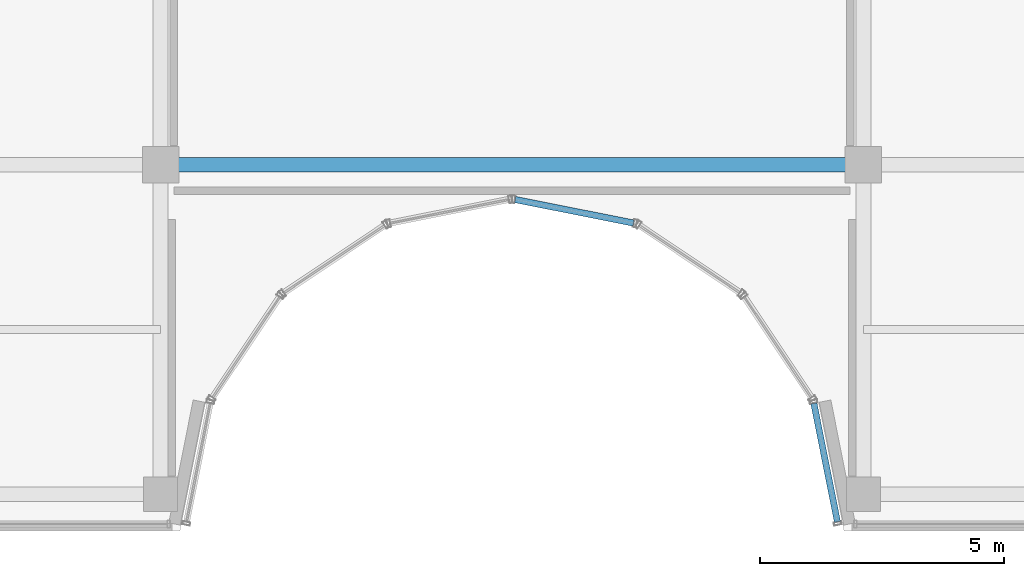
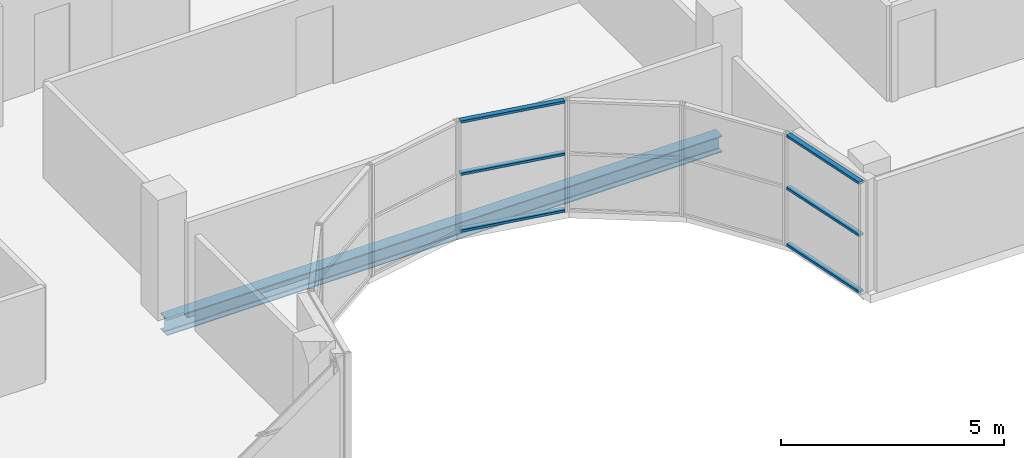
# One storey, part 6 of 29: 6 members, 1 beam, 2 elements without a shape of their own.
"""IFC4 building model written with IfcOpenShell, lengths in metres."""

from ifc_helpers import new_model, si_unit, direction, frame, origin, origin_2d, place, context, subcontext, project, spatial, hollow_rectangle, i_section, extrude, source, transform, mapped, material, layer, layer_set, material_profile, profile_set, type_object, element, aggregate, save


model = new_model("IFC4")

# Units and contexts
model_context = context("Model", 3, precision=1e-05, world=origin(), true_north=direction((0.0, 1.0)))
body_context = subcontext(model_context, "Body", "Model", "MODEL_VIEW")
ifc_project = project(units=[si_unit("LENGTHUNIT", "METRE"), si_unit("AREAUNIT", "SQUARE_METRE"), si_unit("VOLUMEUNIT", "CUBIC_METRE"), si_unit("PLANEANGLEUNIT", "RADIAN"), si_unit("MASSUNIT", "GRAM", prefix="KILO")], contexts=[model_context])

# Site, building, storey
site_placement = place(None, origin())
site = spatial("IfcSite", under=ifc_project, at=site_placement, CompositionType="ELEMENT")
building_placement = place(site_placement, origin())
building = spatial("IfcBuilding", under=site, at=building_placement, Name="Zarnakvel Exchange Tower", CompositionType="ELEMENT")
storey_placement = place(building_placement, frame((0.0, 0.0, 258.39990234375)))
storey = spatial("IfcBuildingStorey", under=building, at=storey_placement, Name="L73", CompositionType="ELEMENT", Elevation=258.39990234375)

# Beam
ifc_material_1 = material(Name="Steel S355", Category="steel")
ifc_material_profile_1 = material_profile(ifc_material_1, i_section(OverallWidth=0.300048828125, OverallDepth=0.449951171875, WebThickness=0.013916015625, FlangeThickness=0.02587890625, FilletRadius=0.027099609375, at=origin_2d()))
ifc_profile_set_1 = profile_set([ifc_material_profile_1], Name="Steel S355")
beam_type = type_object("IfcBeamType", Name="G-07", PredefinedType="BEAM", material=ifc_profile_set_1)
beam_placement = place(storey_placement, frame((-7.199951171875, -9.60009765625, -0.449951171875), z_axis=(1.0, 0.0, 0.0), x_axis=(0.0, 1.0, 0.0)))
element("IfcBeam", 1, at=beam_placement, inside=storey, type_object=beam_type, Name="L73 Tower E-W Frame Beam", PredefinedType="BEAM", context=body_context, shape_type="SweptSolid", body=[
    extrude(i_section(OverallWidth=0.300048828125, OverallDepth=0.449951171875, WebThickness=0.013916015625, FlangeThickness=0.02587890625, FilletRadius=0.027099609375, at=origin_2d()), origin(), (0.0, 0.0, 1.0), 14.39990234375),
])

# Curtain wall, members
ifc_material_2 = material(Name="Architectural Bronze Anodised Aluminium", Category="aluminium")
ifc_layer = layer(ifc_material_2, 0.159912109375)
ifc_layer_set = layer_set([ifc_layer], Name="Architectural Bronze Anodised Aluminium")
curtain_wall_type = type_object("IfcCurtainWallType", Name="CW-06", PredefinedType="NOTDEFINED", material=ifc_layer_set)
curtain_wall_1_placement = place(storey_placement, origin())
curtain_wall_1 = element("IfcCurtainWall", 2, at=curtain_wall_1_placement, inside=storey, type_object=curtain_wall_type, Name="L73 Curtain Wall CW-L73-NC5 (CW-06)", PredefinedType="NOTDEFINED")
ifc_material_profile_2 = material_profile(ifc_material_2, hollow_rectangle(XDim=0.1298828125, YDim=0.06494140625, WallThickness=0.00390625, at=origin_2d()))
ifc_profile_set_2 = profile_set([ifc_material_profile_2], Name="Architectural Bronze Anodised Aluminium")
member_type = type_object("IfcMemberType", Name="CWT-06", PredefinedType="USERDEFINED", material=ifc_profile_set_2)
shared_shape = source(origin(), body_context, "Body", "SweptSolid", [
    extrude(hollow_rectangle(XDim=0.1298828125, YDim=0.06494140625, WallThickness=0.00390625, at=origin_2d()), origin(), (0.0, 0.0, 1.0), 2.4765625),
])
member_1_placement = place(storey_placement, frame((0.063720703125, -10.312744140625, 0.03271484375), z_axis=(0.980784886983, -0.195092299863, 0.0), x_axis=(0.195092299863, 0.980784886983, 0.0)))
member_1 = element("IfcMember", 3, at=member_1_placement, type_object=member_type, Name="CW-06 transom 1.1", ObjectType="TRANSOM", PredefinedType="USERDEFINED", context=body_context, shape_type="MappedRepresentation", body=[
    mapped(shared_shape, transform((0.0, 0.0, 0.0), x_axis=(1.0, 0.0, 0.0), y_axis=(0.0, 1.0, 0.0), z_axis=(0.0, 0.0, 1.0), scale=1.0)),
])
member_2_placement = place(storey_placement, frame((0.063720703125, -10.312744140625, 1.588623046875), z_axis=(0.980784886983, -0.195092299863, 0.0), x_axis=(0.195092299863, 0.980784886983, 0.0)))
member_2 = element("IfcMember", 4, at=member_2_placement, type_object=member_type, Name="CW-06 transom 1.2", ObjectType="TRANSOM", PredefinedType="USERDEFINED", context=body_context, shape_type="MappedRepresentation", body=[
    mapped(shared_shape, transform((0.0, 0.0, 0.0), x_axis=(1.0, 0.0, 0.0), y_axis=(0.0, 1.0, 0.0), z_axis=(0.0, 0.0, 1.0), scale=1.0)),
])
member_3_placement = place(storey_placement, frame((0.063720703125, -10.312744140625, 3.022705078125), z_axis=(0.980784886983, -0.195092299863, 0.0), x_axis=(0.195092299863, 0.980784886983, 0.0)))
member_3 = element("IfcMember", 5, at=member_3_placement, type_object=member_type, Name="CW-06 transom 1.3", ObjectType="TRANSOM", PredefinedType="USERDEFINED", context=body_context, shape_type="MappedRepresentation", body=[
    mapped(shared_shape, transform((0.0, 0.0, 0.0), x_axis=(1.0, 0.0, 0.0), y_axis=(0.0, 1.0, 0.0), z_axis=(0.0, 0.0, 1.0), scale=1.0)),
])
aggregate(curtain_wall_1, [member_1, member_2, member_3])

curtain_wall_2_placement = place(storey_placement, origin())
curtain_wall_2 = element("IfcCurtainWall", 6, at=curtain_wall_2_placement, inside=storey, type_object=curtain_wall_type, Name="L73 Curtain Wall CW-L73-NC8 (CW-06)", PredefinedType="NOTDEFINED")
member_4_placement = place(storey_placement, frame((6.18408203125, -14.4873046875, 0.03271484375), z_axis=(0.195092299863, -0.980784886983, 0.0), x_axis=(0.980784886983, 0.195092299863, 0.0)))
member_4 = element("IfcMember", 7, at=member_4_placement, type_object=member_type, Name="CW-06 transom 1.1", ObjectType="TRANSOM", PredefinedType="USERDEFINED", context=body_context, shape_type="MappedRepresentation", body=[
    mapped(shared_shape, transform((0.0, 0.0, 0.0), x_axis=(1.0, 0.0, 0.0), y_axis=(0.0, 1.0, 0.0), z_axis=(0.0, 0.0, 1.0), scale=1.0)),
])
member_5_placement = place(storey_placement, frame((6.18408203125, -14.4873046875, 1.588623046875), z_axis=(0.195092299863, -0.980784886983, 0.0), x_axis=(0.980784886983, 0.195092299863, 0.0)))
member_5 = element("IfcMember", 8, at=member_5_placement, type_object=member_type, Name="CW-06 transom 1.2", ObjectType="TRANSOM", PredefinedType="USERDEFINED", context=body_context, shape_type="MappedRepresentation", body=[
    mapped(shared_shape, transform((0.0, 0.0, 0.0), x_axis=(1.0, 0.0, 0.0), y_axis=(0.0, 1.0, 0.0), z_axis=(0.0, 0.0, 1.0), scale=1.0)),
])
member_6_placement = place(storey_placement, frame((6.18408203125, -14.4873046875, 3.022705078125), z_axis=(0.195092299863, -0.980784886983, 0.0), x_axis=(0.980784886983, 0.195092299863, 0.0)))
member_6 = element("IfcMember", 9, at=member_6_placement, type_object=member_type, Name="CW-06 transom 1.3", ObjectType="TRANSOM", PredefinedType="USERDEFINED", context=body_context, shape_type="MappedRepresentation", body=[
    mapped(shared_shape, transform((0.0, 0.0, 0.0), x_axis=(1.0, 0.0, 0.0), y_axis=(0.0, 1.0, 0.0), z_axis=(0.0, 0.0, 1.0), scale=1.0)),
])
aggregate(curtain_wall_2, [member_4, member_5, member_6])

save(model, "model.ifc")
